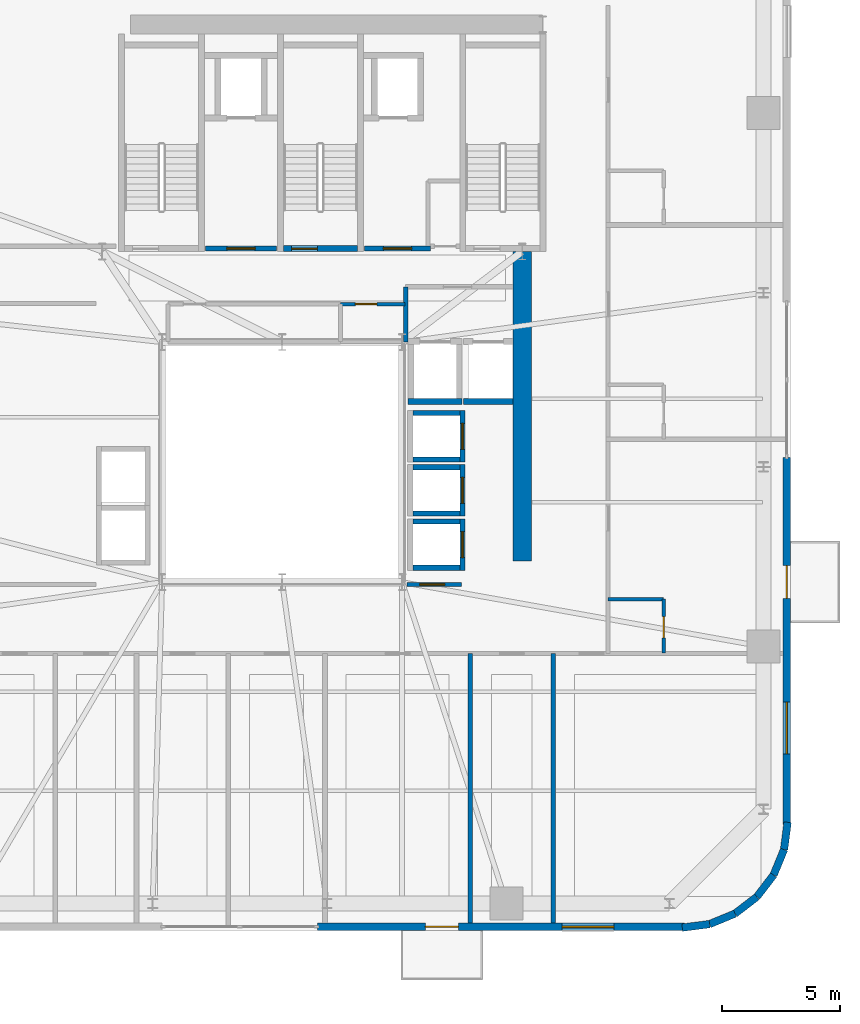
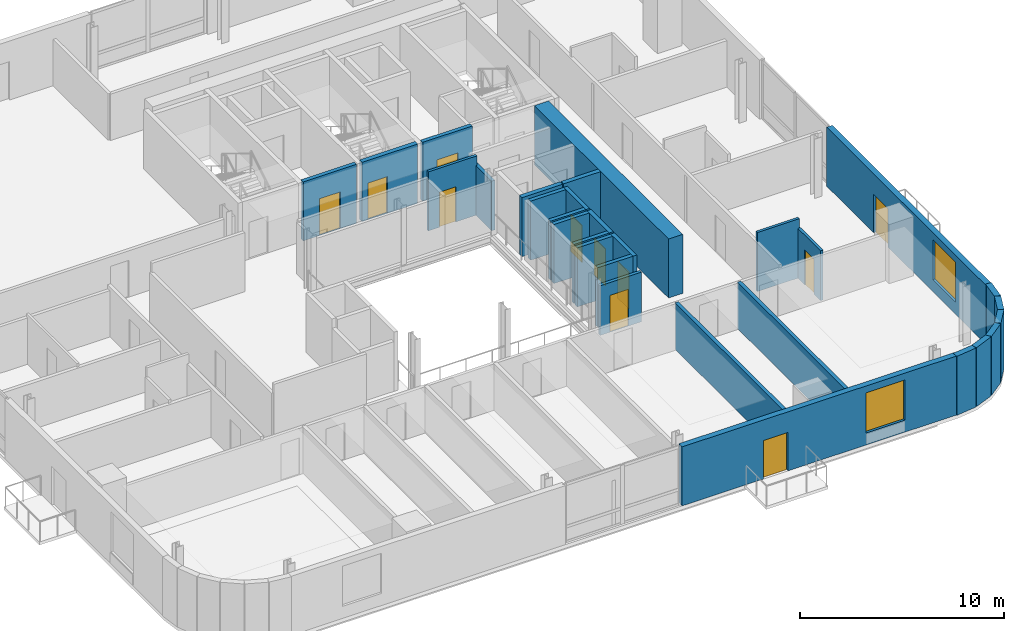
# One storey, part 9 of 16: 30 walls, 11 doors, 2 windows, 13 openings.
"""IFC4 building model written with IfcOpenShell, lengths in metres."""

import ifcopenshell
import ifcopenshell.guid

model = None  # the IFC model being written
_history = None  # IfcOwnerHistory: only IFC2X3 demands one
_inside = {}  # id of a spatial element -> (the spatial element, [elements in it])
_under = {}  # id of a project, library or spatial element -> (it, [spatial elements below it])
_declared = {}  # id of a project -> (the project, [libraries it declares])
_typed = {}  # id of a type object -> (the type object, [elements of that type])
_made_of = {}  # id of a material, layer set ... -> (it, [elements and type objects made of it])


def new_model(schema):
    """Start an empty IFC model of exactly this schema.

    Asked for "IFC4X3", IfcOpenShell would pick the latest addendum, in which some entities
    have other attributes; the version numbers below select the first issue.
    IFC2X3 requires an IfcOwnerHistory on every rooted entity: one is made here for all.
    """
    global model, _history
    if schema == "IFC4X3":
        model = ifcopenshell.file(schema_version=(4, 3, 0, 0))
    else:
        model = ifcopenshell.file(schema=schema)
    _inside.clear()
    _under.clear()
    _declared.clear()
    _typed.clear()
    _made_of.clear()
    _history = None
    if model.schema == "IFC2X3":
        org = make("IfcOrganization", Name="unknown")
        user = make(
            "IfcPersonAndOrganization",
            ThePerson=make("IfcPerson", FamilyName="unknown"),
            TheOrganization=org,
        )
        app = make(
            "IfcApplication",
            ApplicationDeveloper=org,
            Version="unknown",
            ApplicationFullName="unknown",
            ApplicationIdentifier="unknown",
        )
        _history = make(
            "IfcOwnerHistory",
            OwningUser=user,
            OwningApplication=app,
            ChangeAction="ADDED",
            CreationDate=0,
        )
    return model


def make(cls, **values):
    """One entity of the class cls with the attributes given. An attribute that is None is left unset."""
    return model.create_entity(
        cls, **{name: value for name, value in values.items() if value is not None}
    )


def rooted(cls, **values):
    """An entity with a GlobalId (a new one), such as an element, a storey or a relation."""
    return make(cls, GlobalId=ifcopenshell.guid.new(), OwnerHistory=_history, **values)


def si_unit(unit_type, name, prefix=None):
    """IfcSIUnit, for example si_unit("LENGTHUNIT", "METRE", prefix="MILLI")."""
    return make("IfcSIUnit", UnitType=unit_type, Prefix=prefix, Name=name)


def assignment(units):
    """IfcUnitAssignment: the units of a project."""
    return None if units is None else make("IfcUnitAssignment", Units=units)


def point(xyz):
    """IfcCartesianPoint."""
    return None if xyz is None else make("IfcCartesianPoint", Coordinates=xyz)


def direction(xyz):
    """IfcDirection."""
    return None if xyz is None else make("IfcDirection", DirectionRatios=xyz)


def frame(location, z_axis=None, x_axis=None):
    """IfcAxis2Placement3D, a coordinate frame: its origin and axes. An axis left out is left unset."""
    return make(
        "IfcAxis2Placement3D",
        Location=point(location),
        Axis=direction(z_axis),
        RefDirection=direction(x_axis),
    )


def frame_2d(location, x_axis=None):
    """IfcAxis2Placement2D, a coordinate frame in the plane: its origin and x axis."""
    return make(
        "IfcAxis2Placement2D", Location=point(location), RefDirection=direction(x_axis)
    )


def origin():
    """The frame at (0, 0, 0) with its axes left unset."""
    return frame((0.0, 0.0, 0.0))


def place(relative_to, where):
    """IfcLocalPlacement: puts the frame where relative to a parent placement (None: the world)."""
    return make(
        "IfcLocalPlacement", PlacementRelTo=relative_to, RelativePlacement=where
    )


def context(
    kind, dimensions, precision=None, world=None, true_north=None, identifier=None
):
    """IfcGeometricRepresentationContext, for example the 3D "Model" context."""
    return make(
        "IfcGeometricRepresentationContext",
        ContextIdentifier=identifier,
        ContextType=kind,
        CoordinateSpaceDimension=dimensions,
        Precision=precision,
        WorldCoordinateSystem=world,
        TrueNorth=true_north,
    )


def subcontext(parent, identifier, kind, view, scale=None):
    """IfcGeometricRepresentationSubContext, for example "Body" below "Model"."""
    return make(
        "IfcGeometricRepresentationSubContext",
        ContextIdentifier=identifier,
        ContextType=kind,
        ParentContext=parent,
        TargetScale=scale,
        TargetView=view,
    )


def project(units=None, contexts=None):
    """IfcProject with its units and contexts."""
    return rooted(
        "IfcProject",
        Name="project",
        RepresentationContexts=contexts,
        UnitsInContext=assignment(units),
    )


def spatial(cls, under=None, at=None, **own):
    """A site, building, storey or space (cls), placed at a placement, below another one or the project."""
    s = rooted(cls, ObjectPlacement=at, **own)
    if under is not None:
        _under.setdefault(under.id(), (under, []))[1].append(s)
    return s


def profile(cls, at=None, kind="AREA", **sizes):
    """A parametric profile (cls). Its sizes go by their IFC names, for example OverallWidth=200.0."""
    return make(cls, ProfileType=kind, Position=at, **sizes)


def rectangle(**sizes):
    """IfcRectangleProfileDef."""
    return profile("IfcRectangleProfileDef", **sizes)


def extrude(swept, where, along, depth):
    """IfcExtrudedAreaSolid: the profile swept, set in the frame where, extruded along a direction by depth."""
    return make(
        "IfcExtrudedAreaSolid",
        SweptArea=swept,
        Position=where,
        ExtrudedDirection=direction(along),
        Depth=depth,
    )


def shape(context_of_items, identifier, shape_type, items):
    """IfcShapeRepresentation: the items that make up one representation, for example the "Body"."""
    return make(
        "IfcShapeRepresentation",
        ContextOfItems=context_of_items,
        RepresentationIdentifier=identifier,
        RepresentationType=shape_type,
        Items=items,
    )


def source(mapping_origin, context_of_items, identifier, shape_type, items):
    """IfcRepresentationMap: a shape defined once, which mapped items show again and again."""
    return make(
        "IfcRepresentationMap",
        MappingOrigin=mapping_origin,
        MappedRepresentation=shape(context_of_items, identifier, shape_type, items),
    )


def transform(
    local_origin,
    x_axis=None,
    y_axis=None,
    z_axis=None,
    scale=None,
    scale2=None,
    scale3=None,
    uniform=True,
):
    """IfcCartesianTransformationOperator3D, or its non-uniform kind. x_axis, y_axis, z_axis: its Axis1, 2, 3."""
    if uniform:
        return make(
            "IfcCartesianTransformationOperator3D",
            Axis1=direction(x_axis),
            Axis2=direction(y_axis),
            LocalOrigin=point(local_origin),
            Scale=scale,
            Axis3=direction(z_axis),
        )
    return make(
        "IfcCartesianTransformationOperator3DnonUniform",
        Axis1=direction(x_axis),
        Axis2=direction(y_axis),
        LocalOrigin=point(local_origin),
        Scale=scale,
        Axis3=direction(z_axis),
        Scale2=scale2,
        Scale3=scale3,
    )


def mapped(mapping_source, mapping_target):
    """IfcMappedItem: shows the shape of a source again, moved by a transform."""
    return make(
        "IfcMappedItem", MappingSource=mapping_source, MappingTarget=mapping_target
    )


def material(Name=None, Category=None):
    """IfcMaterial."""
    return make("IfcMaterial", Name=Name, Category=Category)


def layer(
    of_material, thickness, ventilated=None, Name=None, Category=None, Priority=None
):
    """IfcMaterialLayer: one layer of a wall or slab, of a material (None: an air gap)."""
    return make(
        "IfcMaterialLayer",
        Material=of_material,
        LayerThickness=thickness,
        IsVentilated=ventilated,
        Name=Name,
        Category=Category,
        Priority=Priority,
    )


def layer_set(layers, Name=None):
    """IfcMaterialLayerSet."""
    return make("IfcMaterialLayerSet", MaterialLayers=layers, LayerSetName=Name)


def made_of(thing, what):
    """Note that an element or type object is made of a material, layer set ...; save() writes the relation."""
    if what is not None:
        _made_of.setdefault(what.id(), (what, []))[1].append(thing)
    return thing


def type_object(cls, material=None, **own):
    """A type object (cls), such as IfcWallType, which elements share."""
    return made_of(rooted(cls, **own), material)


def element(
    cls,
    number,
    at=None,
    inside=None,
    cuts=None,
    type_object=None,
    material=None,
    context=None,
    identifier="Body",
    shape_type=None,
    held_by="IfcProductDefinitionShape",
    body=None,
    shapes=None,
    **own,
):
    """One element of the class cls, such as IfcWall. Its Tag is "e" and its number.

    at: its placement. inside: the storey or other place that contains it. cuts: it is an
    opening in that element (IfcRelVoidsElement). A single representation is given by context,
    identifier, shape_type and body (its items); several are given by shapes. held_by: the class
    of the entity that holds the representations. save() writes the other relations.
    """
    e = rooted(cls, Tag="e%d" % number, ObjectPlacement=at, **own)
    if body is not None:
        shapes = [shape(context, identifier, shape_type, body)]
    if shapes is not None:
        e.Representation = make(held_by, Representations=shapes)
    if inside is not None:
        _inside.setdefault(inside.id(), (inside, []))[1].append(e)
    if cuts is not None:
        rooted(
            "IfcRelVoidsElement", RelatingBuildingElement=cuts, RelatedOpeningElement=e
        )
    if type_object is not None:
        _typed.setdefault(type_object.id(), (type_object, []))[1].append(e)
    return made_of(e, material)


def fill(opening, filler):
    """IfcRelFillsElement: the door or window that sits in an opening."""
    return rooted(
        "IfcRelFillsElement",
        RelatingOpeningElement=opening,
        RelatedBuildingElement=filler,
    )


def aggregate(whole, parts):
    """IfcRelAggregates: a whole, such as a stair, and the parts it consists of."""
    return rooted("IfcRelAggregates", RelatingObject=whole, RelatedObjects=parts)


def save(model, path):
    """Write the relations noted so far, then the file.

    IfcRelAggregates (storeys below a building ...), IfcRelContainedInSpatialStructure (elements
    in a storey), IfcRelDefinesByType, IfcRelAssociatesMaterial and IfcRelDeclares: one each for
    every whole, place, type object, material and project.
    """
    for whole, parts in _under.values():
        aggregate(whole, parts)
    for where, things in _inside.values():
        rooted(
            "IfcRelContainedInSpatialStructure",
            RelatedElements=things,
            RelatingStructure=where,
        )
    for kind, things in _typed.values():
        rooted("IfcRelDefinesByType", RelatedObjects=things, RelatingType=kind)
    for what, things in _made_of.values():
        rooted("IfcRelAssociatesMaterial", RelatedObjects=things, RelatingMaterial=what)
    for by, libraries in _declared.values():
        rooted("IfcRelDeclares", RelatingContext=by, RelatedDefinitions=libraries)
    model.write(path)


model = new_model("IFC4")

# Units and contexts
model_context = context("Model", 3, precision=1e-05, world=origin(), true_north=direction((0.0, 1.0)))
body_context = subcontext(model_context, "Body", "Model", "MODEL_VIEW")
ifc_project = project(units=[si_unit("LENGTHUNIT", "METRE"), si_unit("AREAUNIT", "SQUARE_METRE"), si_unit("VOLUMEUNIT", "CUBIC_METRE"), si_unit("PLANEANGLEUNIT", "RADIAN"), si_unit("MASSUNIT", "GRAM", prefix="KILO")], contexts=[model_context])

# Site, building, storey
site_placement = place(None, origin())
site = spatial("IfcSite", under=ifc_project, at=site_placement, CompositionType="ELEMENT")
building_placement = place(site_placement, origin())
building = spatial("IfcBuilding", under=site, at=building_placement, Name="Vardaveli Station Tower", CompositionType="ELEMENT")
storey_placement = place(building_placement, frame((0.0, 0.0, 222.300048828125)))
storey = spatial("IfcBuildingStorey", under=building, at=storey_placement, Name="L57", CompositionType="ELEMENT", Elevation=222.300048828125)

# Wall
ifc_material_1 = material(Name="Concrete C50/60", Category="concrete")
ifc_layer_1 = layer(ifc_material_1, 0.800048828125, Name="Concrete C50/60")
ifc_layer_set_1 = layer_set([ifc_layer_1], Name="Concrete C50/60")
wall_type_1 = type_object("IfcWallType", Name="WAL-CORE-800", PredefinedType="SHEAR", material=ifc_layer_set_1)
shared_shape_1 = source(origin(), body_context, "Body", "SweptSolid", [
    extrude(rectangle(XDim=13.14990234375, YDim=0.800048828125, at=frame_2d((6.574951171875, 0.0))), origin(), (0.0, 0.0, 1.0), 3.530029296875),
])
wall_1_placement = place(storey_placement, frame((46.5, 17.5, 0.0), z_axis=(0.0, 0.0, 1.0), x_axis=(0.0, 1.0, 0.0)))
element("IfcWall", 1, at=wall_1_placement, inside=storey, type_object=wall_type_1, Name="SW-L57-EAST2", PredefinedType="SHEAR", context=body_context, shape_type="MappedRepresentation", body=[
    mapped(shared_shape_1, transform((0.0, 0.0, 0.0), scale=1.0)),
])

# Wall, openings, door, window
ifc_material_2 = material(Name="Precast concrete C45/55", Category="concrete")
ifc_layer_2 = layer(ifc_material_2, 0.320068359375, Name="Precast concrete C45/55")
ifc_layer_set_2 = layer_set([ifc_layer_2], Name="Precast concrete C45/55")
wall_type_2 = type_object("IfcWallType", Name="WAL-EXT-STONE-320", PredefinedType="SOLIDWALL", material=ifc_layer_set_2)
shared_shape_2 = source(origin(), body_context, "Body", "SweptSolid", [
    extrude(rectangle(XDim=15.599853515625, YDim=0.320068359375, at=frame_2d((7.7998046875, 0.0))), origin(), (0.0, 0.0, 1.0), 3.530029296875),
])
wall_2_placement = place(storey_placement, frame((37.800048828125, 1.9599609375, 0.0), z_axis=(0.0, 0.0, 1.0), x_axis=(1.0, 0.0, 0.0)))
wall_2 = element("IfcWall", 2, at=wall_2_placement, inside=storey, type_object=wall_type_2, Name="EW-L57-S2", PredefinedType="SOLIDWALL", context=body_context, shape_type="MappedRepresentation", body=[
    mapped(shared_shape_2, transform((0.0, 0.0, 0.0), scale=1.0)),
])
shared_shape_3 = source(origin(), body_context, "Body", "SweptSolid", [
    extrude(rectangle(XDim=1.39990234375, YDim=2.300048828125, at=frame_2d((0.699951171875, 1.14990234375))), frame((0.0, 0.169921875, 0.0), z_axis=(0.0, -1.0, 0.0), x_axis=(1.0, 0.0, 0.0)), (0.0, 0.0, 1.0), 0.340087890625),
])
opening_1_placement = place(wall_2_placement, frame((4.589599609375, 0.0, 0.0)))
opening_1 = element("IfcOpeningElement", 3, at=opening_1_placement, cuts=wall_2, Name="Opening D-09", PredefinedType="OPENING", context=body_context, shape_type="MappedRepresentation", body=[
    mapped(shared_shape_3, transform((0.0, 0.0, 0.0), scale=1.0)),
])
shared_shape_4 = source(origin(), body_context, "Body", "SweptSolid", [
    extrude(rectangle(XDim=2.199951171875, YDim=2.39990234375, at=frame_2d((1.10009765625, 1.199951171875))), frame((0.0, 0.169921875, 0.0), z_axis=(0.0, -1.0, 0.0), x_axis=(1.0, 0.0, 0.0)), (0.0, 0.0, 1.0), 0.340087890625),
])
opening_2_placement = place(wall_2_placement, frame((10.39501953125, 0.0, 0.719970703125)))
opening_2 = element("IfcOpeningElement", 4, at=opening_2_placement, cuts=wall_2, Name="Opening W-03", PredefinedType="OPENING", context=body_context, shape_type="MappedRepresentation", body=[
    mapped(shared_shape_4, transform((0.0, 0.0, 0.0), scale=1.0)),
])
ifc_material_3 = material(Name="Thermally broken aluminium glass", Category="aluminium")
door_type_1 = type_object("IfcDoorType", Name="DR-LOG-1400x2300", OperationType="DOUBLE_DOOR_SLIDING", PredefinedType="DOOR", material=ifc_material_3)
shared_shape_5 = source(origin(), body_context, "Body", "SweptSolid", [
    extrude(rectangle(XDim=1.39990234375, YDim=2.300048828125, at=frame_2d((0.699951171875, 1.14990234375))), frame((0.0, 0.02490234375, 0.0), z_axis=(0.0, -1.0, 0.0), x_axis=(1.0, 0.0, 0.0)), (0.0, 0.0, 1.0), 0.050048828125),
])
door_1_placement = place(opening_1_placement, frame((1.39990234375, 0.0, 0.0), z_axis=(0.0, 0.0, 1.0), x_axis=(-1.0, 0.0, 0.0)))
door_1 = element("IfcDoor", 5, at=door_1_placement, inside=storey, type_object=door_type_1, Name="DLG-L57-S", OperationType="DOUBLE_DOOR_SLIDING", OverallHeight=2.300048828125, OverallWidth=1.39990234375, PredefinedType="DOOR", context=body_context, shape_type="MappedRepresentation", body=[
    mapped(shared_shape_5, transform((0.0, 0.0, 0.0), scale=1.0)),
])
fill(opening_1, door_1)
ifc_material_4 = material(Name="Low-E solar-control glass", Category="glass")
window_type = type_object("IfcWindowType", Name="WIN-LOG-2200x2400", PartitioningType="SINGLE_PANEL", PredefinedType="WINDOW", material=ifc_material_4)
shared_shape_6 = source(origin(), body_context, "Body", "SweptSolid", [
    extrude(rectangle(XDim=2.199951171875, YDim=2.39990234375, at=frame_2d((1.10009765625, 1.199951171875))), frame((0.0, 0.030029296875, 0.0), z_axis=(0.0, -1.0, 0.0), x_axis=(1.0, 0.0, 0.0)), (0.0, 0.0, 1.0), 0.06005859375),
])
window_1_placement = place(opening_2_placement, origin())
window_1 = element("IfcWindow", 6, at=window_1_placement, inside=storey, type_object=window_type, Name="WN-L57-S2", OverallHeight=2.39990234375, OverallWidth=2.199951171875, PartitioningType="SINGLE_PANEL", PredefinedType="WINDOW", context=body_context, shape_type="MappedRepresentation", body=[
    mapped(shared_shape_6, transform((0.0, 0.0, 0.0), scale=1.0)),
])
fill(opening_2, window_1)

wall_3_placement = place(storey_placement, frame((57.739990234375, 6.300048828125, 0.0), z_axis=(0.0, 0.0, 1.0), x_axis=(0.0, 1.0, 0.0)))
wall_3 = element("IfcWall", 7, at=wall_3_placement, inside=storey, type_object=wall_type_2, Name="EW-L57-E1", PredefinedType="SOLIDWALL", context=body_context, shape_type="MappedRepresentation", body=[
    mapped(shared_shape_2, transform((0.0, 0.0, 0.0), scale=1.0)),
])
opening_3_placement = place(wall_3_placement, frame((9.6103515625, 0.0, 0.0)))
opening_3 = element("IfcOpeningElement", 8, at=opening_3_placement, cuts=wall_3, Name="Opening D-09", PredefinedType="OPENING", context=body_context, shape_type="MappedRepresentation", body=[
    mapped(shared_shape_3, transform((0.0, 0.0, 0.0), scale=1.0)),
])
opening_4_placement = place(wall_3_placement, frame((3.0048828125, 0.0, 0.719970703125)))
opening_4 = element("IfcOpeningElement", 9, at=opening_4_placement, cuts=wall_3, Name="Opening W-03", PredefinedType="OPENING", context=body_context, shape_type="MappedRepresentation", body=[
    mapped(shared_shape_4, transform((0.0, 0.0, 0.0), scale=1.0)),
])
door_2_placement = place(opening_3_placement, frame((1.39990234375, 0.0, 0.0), z_axis=(0.0, 0.0, 1.0), x_axis=(-1.0, 0.0, 0.0)))
door_2 = element("IfcDoor", 10, at=door_2_placement, inside=storey, type_object=door_type_1, Name="DLG-L57-E", OperationType="DOUBLE_DOOR_SLIDING", OverallHeight=2.300048828125, OverallWidth=1.39990234375, PredefinedType="DOOR", context=body_context, shape_type="MappedRepresentation", body=[
    mapped(shared_shape_5, transform((0.0, 0.0, 0.0), scale=1.0)),
])
fill(opening_3, door_2)
window_2_placement = place(opening_4_placement, origin())
window_2 = element("IfcWindow", 11, at=window_2_placement, inside=storey, type_object=window_type, Name="WN-L57-E1", OverallHeight=2.39990234375, OverallWidth=2.199951171875, PartitioningType="SINGLE_PANEL", PredefinedType="WINDOW", context=body_context, shape_type="MappedRepresentation", body=[
    mapped(shared_shape_6, transform((0.0, 0.0, 0.0), scale=1.0)),
])
fill(opening_4, window_2)

# Walls
shared_shape_7 = source(origin(), body_context, "Body", "SweptSolid", [
    extrude(rectangle(XDim=1.170654296875, YDim=0.320068359375, at=frame_2d((0.58544921875, 0.0))), origin(), (0.0, 0.0, 1.0), 3.530029296875),
])
wall_4_placement = place(storey_placement, frame((57.62548828125, 5.23974609375, 0.0), z_axis=(0.0, 0.0, 1.0), x_axis=(0.128269133229, 0.991739395941, 0.0)))
element("IfcWall", 12, at=wall_4_placement, inside=storey, type_object=wall_type_2, Name="EW-L57-CR2-6", PredefinedType="SOLIDWALL", context=body_context, shape_type="MappedRepresentation", body=[
    mapped(shared_shape_7, transform((0.0, 0.0, 0.0), scale=1.0)),
])
shared_shape_8 = source(origin(), body_context, "Body", "SweptSolid", [
    extrude(rectangle(XDim=1.1689453125, YDim=0.320068359375, at=frame_2d((0.58447265625, 0.0))), origin(), (0.0, 0.0, 1.0), 3.530029296875),
])
for number, where, z_axis, x_axis, name in (
    (13, (56.46875, 3.231201171875, 0.0), (0.0, 0.0, 1.0), (0.608387696831, 0.793639975269, 0.0), "EW-L57-CR2-4"),
    (14, (57.179931640625, 4.158935546875, 0.0), (0.0, 0.0, 1.0), (0.381127904695, 0.924522320046, 0.0), "EW-L57-CR2-5"),
):
    element("IfcWall", number, at=place(storey_placement, frame(where, z_axis=z_axis, x_axis=x_axis)), inside=storey, type_object=wall_type_2, Name=name, PredefinedType="SOLIDWALL", context=body_context, shape_type="MappedRepresentation", body=[
        mapped(shared_shape_8, transform((0.0, 0.0, 0.0), scale=1.0)),
    ])
shared_shape_9 = source(origin(), body_context, "Body", "SweptSolid", [
    extrude(rectangle(XDim=1.168701171875, YDim=0.320068359375, at=frame_2d((0.58447265625, 0.0))), origin(), (0.0, 0.0, 1.0), 3.530029296875),
])
wall_5_placement = place(storey_placement, frame((55.541259765625, 2.520263671875, 0.0), z_axis=(0.0, 0.0, 1.0), x_axis=(0.793663520347, 0.608356981114, 0.0)))
element("IfcWall", 15, at=wall_5_placement, inside=storey, type_object=wall_type_2, Name="EW-L57-CR2-3", PredefinedType="SOLIDWALL", context=body_context, shape_type="MappedRepresentation", body=[
    mapped(shared_shape_9, transform((0.0, 0.0, 0.0), scale=1.0)),
])
shared_shape_10 = source(origin(), body_context, "Body", "SweptSolid", [
    extrude(rectangle(XDim=1.16943359375, YDim=0.320068359375, at=frame_2d((0.584716796875, 0.0))), origin(), (0.0, 0.0, 1.0), 3.530029296875),
])
wall_6_placement = place(storey_placement, frame((54.460205078125, 2.074462890625, 0.0), z_axis=(0.0, 0.0, 1.0), x_axis=(0.924479075121, 0.381232789334, 0.0)))
element("IfcWall", 16, at=wall_6_placement, inside=storey, type_object=wall_type_2, Name="EW-L57-CR2-2", PredefinedType="SOLIDWALL", context=body_context, shape_type="MappedRepresentation", body=[
    mapped(shared_shape_10, transform((0.0, 0.0, 0.0), scale=1.0)),
])
shared_shape_11 = source(origin(), body_context, "Body", "SweptSolid", [
    extrude(rectangle(XDim=1.170166015625, YDim=0.320068359375, at=frame_2d((0.5849609375, 0.0))), origin(), (0.0, 0.0, 1.0), 3.530029296875),
])
wall_7_placement = place(storey_placement, frame((53.299560546875, 1.924560546875, 0.0), z_axis=(0.0, 0.0, 1.0), x_axis=(0.991762485493, 0.128090485085, 0.0)))
element("IfcWall", 17, at=wall_7_placement, inside=storey, type_object=wall_type_2, Name="EW-L57-CR2-1", PredefinedType="SOLIDWALL", context=body_context, shape_type="MappedRepresentation", body=[
    mapped(shared_shape_11, transform((0.0, 0.0, 0.0), scale=1.0)),
])

# Wall, opening, door
ifc_material_5 = material(Name="Concrete C40/50", Category="concrete")
ifc_layer_3 = layer(ifc_material_5, 0.25, Name="Concrete C40/50")
ifc_layer_set_3 = layer_set([ifc_layer_3], Name="Concrete C40/50")
wall_type_3 = type_object("IfcWallType", Name="WAL-SHAFT-250", PredefinedType="SOLIDWALL", material=ifc_layer_set_3)
shared_shape_12 = source(origin(), body_context, "Body", "SweptSolid", [
    extrude(rectangle(XDim=3.14990234375, YDim=0.25, at=frame_2d((1.574951171875, 0.0))), origin(), (0.0, 0.0, 1.0), 3.550048828125),
])
wall_8_placement = place(storey_placement, frame((36.35009765625, 30.77490234375, 0.0), z_axis=(0.0, 0.0, 1.0), x_axis=(1.0, 0.0, 0.0)))
wall_8 = element("IfcWall", 18, at=wall_8_placement, inside=storey, type_object=wall_type_3, Name="W-L57-ST-2S", PredefinedType="SOLIDWALL", context=body_context, shape_type="MappedRepresentation", body=[
    mapped(shared_shape_12, transform((0.0, 0.0, 0.0), scale=1.0)),
])
shared_shape_13 = source(origin(), body_context, "Body", "SweptSolid", [
    extrude(rectangle(XDim=1.10009765625, YDim=2.199951171875, at=frame_2d((0.550048828125, 1.10009765625))), frame((0.0, 0.135009765625, 0.0), z_axis=(0.0, -1.0, 0.0), x_axis=(1.0, 0.0, 0.0)), (0.0, 0.0, 1.0), 0.27001953125),
])
opening_5_placement = place(wall_8_placement, frame((0.35009765625, 0.0, 0.0)))
opening_5 = element("IfcOpeningElement", 19, at=opening_5_placement, cuts=wall_8, Name="Opening D-04", PredefinedType="OPENING", context=body_context, shape_type="MappedRepresentation", body=[
    mapped(shared_shape_13, transform((0.0, 0.0, 0.0), scale=1.0)),
])
ifc_material_6 = material(Name="Steel smokeproof fire doorset", Category="steel")
door_type_2 = type_object("IfcDoorType", Name="DR-ST-1100x2200", OperationType="NOTDEFINED", PredefinedType="DOOR", material=ifc_material_6)
shared_shape_14 = source(origin(), body_context, "Body", "SweptSolid", [
    extrude(rectangle(XDim=1.10009765625, YDim=2.199951171875, at=frame_2d((0.550048828125, 1.10009765625))), frame((0.0, 0.02490234375, 0.0), z_axis=(0.0, -1.0, 0.0), x_axis=(1.0, 0.0, 0.0)), (0.0, 0.0, 1.0), 0.050048828125),
])
door_3_placement = place(opening_5_placement, origin())
door_3 = element("IfcDoor", 20, at=door_3_placement, inside=storey, type_object=door_type_2, Name="DST-2-L57", OperationType="SINGLE_SWING_LEFT", OverallHeight=2.199951171875, OverallWidth=1.10009765625, PredefinedType="DOOR", context=body_context, shape_type="MappedRepresentation", body=[
    mapped(shared_shape_14, transform((0.0, 0.0, 0.0), scale=1.0)),
])
fill(opening_5, door_3)

ifc_layer_4 = layer(ifc_material_5, 0.219970703125, Name="Concrete C40/50")
ifc_layer_set_4 = layer_set([ifc_layer_4], Name="Concrete C40/50")
wall_type_4 = type_object("IfcWallType", Name="WAL-FFLOBBY-220", PredefinedType="SOLIDWALL", material=ifc_layer_set_4)
shared_shape_15 = source(origin(), body_context, "Body", "SweptSolid", [
    extrude(rectangle(XDim=3.0, YDim=0.219970703125, at=frame_2d((1.5, 0.0))), origin(), (0.0, 0.0, 1.0), 3.530029296875),
])
wall_9_placement = place(storey_placement, frame((33.050048828125, 30.780029296875, 0.0), z_axis=(0.0, 0.0, 1.0), x_axis=(1.0, 0.0, 0.0)))
wall_9 = element("IfcWall", 21, at=wall_9_placement, inside=storey, type_object=wall_type_4, Name="W-L57-FFL1S", PredefinedType="SOLIDWALL", context=body_context, shape_type="MappedRepresentation", body=[
    mapped(shared_shape_15, transform((0.0, 0.0, 0.0), scale=1.0)),
])
shared_shape_16 = source(origin(), body_context, "Body", "SweptSolid", [
    extrude(rectangle(XDim=1.199951171875, YDim=2.199951171875, at=frame_2d((0.60009765625, 1.10009765625))), frame((0.0, 0.1201171875, 0.0), z_axis=(0.0, -1.0, 0.0), x_axis=(1.0, 0.0, 0.0)), (0.0, 0.0, 1.0), 0.239990234375),
])
opening_6_placement = place(wall_9_placement, frame((0.89990234375, 0.0, 0.0)))
opening_6 = element("IfcOpeningElement", 22, at=opening_6_placement, cuts=wall_9, Name="Opening D-03", PredefinedType="OPENING", context=body_context, shape_type="MappedRepresentation", body=[
    mapped(shared_shape_16, transform((0.0, 0.0, 0.0), scale=1.0)),
])
door_type_3 = type_object("IfcDoorType", Name="DR-FFL-1200x2200", OperationType="NOTDEFINED", PredefinedType="DOOR", material=ifc_material_6)
shared_shape_17 = source(origin(), body_context, "Body", "SweptSolid", [
    extrude(rectangle(XDim=1.199951171875, YDim=2.199951171875, at=frame_2d((0.60009765625, 1.10009765625))), frame((0.0, 0.02490234375, 0.0), z_axis=(0.0, -1.0, 0.0), x_axis=(1.0, 0.0, 0.0)), (0.0, 0.0, 1.0), 0.050048828125),
])
door_4_placement = place(opening_6_placement, origin())
door_4 = element("IfcDoor", 23, at=door_4_placement, inside=storey, type_object=door_type_3, Name="DFFL1-L57", OperationType="SINGLE_SWING_LEFT", OverallHeight=2.199951171875, OverallWidth=1.199951171875, PredefinedType="DOOR", context=body_context, shape_type="MappedRepresentation", body=[
    mapped(shared_shape_17, transform((0.0, 0.0, 0.0), scale=1.0)),
])
fill(opening_6, door_4)

shared_shape_18 = source(origin(), body_context, "Body", "SweptSolid", [
    extrude(rectangle(XDim=2.800048828125, YDim=0.219970703125, at=frame_2d((1.39990234375, 0.0))), origin(), (0.0, 0.0, 1.0), 3.530029296875),
])
wall_10_placement = place(storey_placement, frame((39.800048828125, 30.780029296875, 0.0), z_axis=(0.0, 0.0, 1.0), x_axis=(1.0, 0.0, 0.0)))
wall_10 = element("IfcWall", 24, at=wall_10_placement, inside=storey, type_object=wall_type_4, Name="W-L57-FFL2S", PredefinedType="SOLIDWALL", context=body_context, shape_type="MappedRepresentation", body=[
    mapped(shared_shape_18, transform((0.0, 0.0, 0.0), scale=1.0)),
])
opening_7_placement = place(wall_10_placement, frame((0.800048828125, 0.0, 0.0)))
opening_7 = element("IfcOpeningElement", 25, at=opening_7_placement, cuts=wall_10, Name="Opening D-03", PredefinedType="OPENING", context=body_context, shape_type="MappedRepresentation", body=[
    mapped(shared_shape_16, transform((0.0, 0.0, 0.0), scale=1.0)),
])
door_5_placement = place(opening_7_placement, origin())
door_5 = element("IfcDoor", 26, at=door_5_placement, inside=storey, type_object=door_type_3, Name="DFFL2-L57", OperationType="SINGLE_SWING_RIGHT", OverallHeight=2.199951171875, OverallWidth=1.199951171875, PredefinedType="DOOR", context=body_context, shape_type="MappedRepresentation", body=[
    mapped(shared_shape_17, transform((0.0, 0.0, 0.0), scale=1.0)),
])
fill(opening_7, door_5)

# Walls
shared_shape_19 = source(origin(), body_context, "Body", "SweptSolid", [
    extrude(rectangle(XDim=2.0, YDim=0.219970703125, at=frame_2d((1.0, 0.0))), origin(), (0.0, 0.0, 1.0), 3.530029296875),
])
for number, where, z_axis, x_axis, name in (
    (27, (41.85009765625, 21.81494140625, 0.0), (0.0, 0.0, 1.0), (1.0, 0.0, 0.0), "SHW-HL3-01-L57-S"),
    (28, (41.85009765625, 23.784912109375, 0.0), (0.0, 0.0, 1.0), (1.0, 0.0, 0.0), "SHW-HL3-01-L57-N"),
    (29, (41.85009765625, 19.514892578125, 0.0), (0.0, 0.0, 1.0), (1.0, 0.0, 0.0), "SHW-HL3-02-L57-S"),
    (30, (41.85009765625, 21.485107421875, 0.0), (0.0, 0.0, 1.0), (1.0, 0.0, 0.0), "SHW-HL3-02-L57-N"),
    (31, (41.85009765625, 17.215087890625, 0.0), (0.0, 0.0, 1.0), (1.0, 0.0, 0.0), "SHW-HL3-03-L57-S"),
    (32, (41.85009765625, 19.18505859375, 0.0), (0.0, 0.0, 1.0), (1.0, 0.0, 0.0), "SHW-HL3-03-L57-N"),
):
    element("IfcWall", number, at=place(storey_placement, frame(where, z_axis=z_axis, x_axis=x_axis)), inside=storey, type_object=wall_type_4, Name=name, PredefinedType="SOLIDWALL", context=body_context, shape_type="MappedRepresentation", body=[
        mapped(shared_shape_19, transform((0.0, 0.0, 0.0), scale=1.0)),
    ])

# Wall, opening, door
shared_shape_20 = source(origin(), body_context, "Body", "SweptSolid", [
    extrude(rectangle(XDim=2.18994140625, YDim=0.219970703125, at=frame_2d((1.094970703125, 0.0))), origin(), (0.0, 0.0, 1.0), 3.530029296875),
])
wall_11_placement = place(storey_placement, frame((43.9599609375, 21.705078125, 0.0), z_axis=(0.0, 0.0, 1.0), x_axis=(0.0, 1.0, 0.0)))
wall_11 = element("IfcWall", 33, at=wall_11_placement, inside=storey, type_object=wall_type_4, Name="SHW-HL3-01-L57-E", PredefinedType="SOLIDWALL", context=body_context, shape_type="MappedRepresentation", body=[
    mapped(shared_shape_20, transform((0.0, 0.0, 0.0), scale=1.0)),
])
shared_shape_21 = source(origin(), body_context, "Body", "SweptSolid", [
    extrude(rectangle(XDim=1.10009765625, YDim=2.199951171875, at=frame_2d((0.550048828125, 1.10009765625))), frame((0.0, 0.1201171875, 0.0), z_axis=(0.0, -1.0, 0.0), x_axis=(1.0, 0.0, 0.0)), (0.0, 0.0, 1.0), 0.239990234375),
])
opening_8_placement = place(wall_11_placement, frame((0.544921875, 0.0, 0.0)))
opening_8 = element("IfcOpeningElement", 34, at=opening_8_placement, cuts=wall_11, Name="Opening LD-01", PredefinedType="OPENING", context=body_context, shape_type="MappedRepresentation", body=[
    mapped(shared_shape_21, transform((0.0, 0.0, 0.0), scale=1.0)),
])
ifc_material_7 = material(Name="Brushed stainless steel", Category="steel")
door_type_4 = type_object("IfcDoorType", Name="DR-LD-1100x2200", OperationType="DOUBLE_DOOR_SLIDING", PredefinedType="DOOR", material=ifc_material_7)
door_6_placement = place(opening_8_placement, origin())
door_6 = element("IfcDoor", 35, at=door_6_placement, inside=storey, type_object=door_type_4, Name="LD-HL3-01-L57", OperationType="DOUBLE_DOOR_SLIDING", OverallHeight=2.199951171875, OverallWidth=1.10009765625, PredefinedType="DOOR", context=body_context, shape_type="MappedRepresentation", body=[
    mapped(shared_shape_14, transform((0.0, 0.0, 0.0), scale=1.0)),
])
fill(opening_8, door_6)

wall_12_placement = place(storey_placement, frame((43.9599609375, 19.405029296875, 0.0), z_axis=(0.0, 0.0, 1.0), x_axis=(0.0, 1.0, 0.0)))
wall_12 = element("IfcWall", 36, at=wall_12_placement, inside=storey, type_object=wall_type_4, Name="SHW-HL3-02-L57-E", PredefinedType="SOLIDWALL", context=body_context, shape_type="MappedRepresentation", body=[
    mapped(shared_shape_20, transform((0.0, 0.0, 0.0), scale=1.0)),
])
opening_9_placement = place(wall_12_placement, frame((0.544921875, 0.0, 0.0)))
opening_9 = element("IfcOpeningElement", 37, at=opening_9_placement, cuts=wall_12, Name="Opening LD-01", PredefinedType="OPENING", context=body_context, shape_type="MappedRepresentation", body=[
    mapped(shared_shape_21, transform((0.0, 0.0, 0.0), scale=1.0)),
])
door_7_placement = place(opening_9_placement, origin())
door_7 = element("IfcDoor", 38, at=door_7_placement, inside=storey, type_object=door_type_4, Name="LD-HL3-02-L57", OperationType="DOUBLE_DOOR_SLIDING", OverallHeight=2.199951171875, OverallWidth=1.10009765625, PredefinedType="DOOR", context=body_context, shape_type="MappedRepresentation", body=[
    mapped(shared_shape_14, transform((0.0, 0.0, 0.0), scale=1.0)),
])
fill(opening_9, door_7)

wall_13_placement = place(storey_placement, frame((43.9599609375, 17.10498046875, 0.0), z_axis=(0.0, 0.0, 1.0), x_axis=(0.0, 1.0, 0.0)))
wall_13 = element("IfcWall", 39, at=wall_13_placement, inside=storey, type_object=wall_type_4, Name="SHW-HL3-03-L57-E", PredefinedType="SOLIDWALL", context=body_context, shape_type="MappedRepresentation", body=[
    mapped(shared_shape_20, transform((0.0, 0.0, 0.0), scale=1.0)),
])
opening_10_placement = place(wall_13_placement, frame((0.544921875, 0.0, 0.0)))
opening_10 = element("IfcOpeningElement", 40, at=opening_10_placement, cuts=wall_13, Name="Opening LD-01", PredefinedType="OPENING", context=body_context, shape_type="MappedRepresentation", body=[
    mapped(shared_shape_21, transform((0.0, 0.0, 0.0), scale=1.0)),
])
door_8_placement = place(opening_10_placement, origin())
door_8 = element("IfcDoor", 41, at=door_8_placement, inside=storey, type_object=door_type_4, Name="LD-HL3-03-L57", OperationType="DOUBLE_DOOR_SLIDING", OverallHeight=2.199951171875, OverallWidth=1.10009765625, PredefinedType="DOOR", context=body_context, shape_type="MappedRepresentation", body=[
    mapped(shared_shape_14, transform((0.0, 0.0, 0.0), scale=1.0)),
])
fill(opening_10, door_8)

# Walls
shared_shape_22 = source(origin(), body_context, "Body", "SweptSolid", [
    extrude(rectangle(XDim=2.300048828125, YDim=0.25, at=frame_2d((1.14990234375, 0.0))), origin(), (0.0, 0.0, 1.0), 3.530029296875),
])
wall_14_placement = place(storey_placement, frame((41.64990234375, 24.27490234375, 0.0), z_axis=(0.0, 0.0, 1.0), x_axis=(1.0, 0.0, 0.0)))
element("IfcWall", 42, at=wall_14_placement, inside=storey, type_object=wall_type_3, Name="SHW-SRV-01-L57-S", PredefinedType="SOLIDWALL", context=body_context, shape_type="MappedRepresentation", body=[
    mapped(shared_shape_22, transform((0.0, 0.0, 0.0), scale=1.0)),
])
shared_shape_23 = source(origin(), body_context, "Body", "SweptSolid", [
    extrude(rectangle(XDim=2.10009765625, YDim=0.25, at=frame_2d((1.050048828125, 0.0))), origin(), (0.0, 0.0, 1.0), 3.530029296875),
])
wall_15_placement = place(storey_placement, frame((44.0, 24.27490234375, 0.0), z_axis=(0.0, 0.0, 1.0), x_axis=(1.0, 0.0, 0.0)))
element("IfcWall", 43, at=wall_15_placement, inside=storey, type_object=wall_type_3, Name="SHW-SRV-02-L57-S", PredefinedType="SOLIDWALL", context=body_context, shape_type="MappedRepresentation", body=[
    mapped(shared_shape_23, transform((0.0, 0.0, 0.0), scale=1.0)),
])

# Wall, opening, door
ifc_material_8 = material(Name="Fire-rated gypsum stud partition")
ifc_layer_5 = layer(ifc_material_8, 0.179931640625, Name="Fire-rated gypsum stud partition")
ifc_layer_set_5 = layer_set([ifc_layer_5], Name="Fire-rated gypsum stud partition")
wall_type_5 = type_object("IfcWallType", Name="WAL-CORR-180", PredefinedType="PARTITIONING", material=ifc_layer_set_5)
shared_shape_24 = source(origin(), body_context, "Body", "SweptSolid", [
    extrude(rectangle(XDim=2.329833984375, YDim=0.179931640625, at=frame_2d((1.1650390625, 0.0))), origin(), (0.0, 0.0, 1.0), 2.971923828125),
])
wall_16_placement = place(storey_placement, frame((41.60009765625, 16.5, 0.0), z_axis=(0.0, 0.0, 1.0), x_axis=(1.0, 0.0, 0.0)))
wall_16 = element("IfcWall", 44, at=wall_16_placement, inside=storey, type_object=wall_type_5, Name="W-L57-ATE-S", PredefinedType="PARTITIONING", context=body_context, shape_type="MappedRepresentation", body=[
    mapped(shared_shape_24, transform((0.0, 0.0, 0.0), scale=1.0)),
])
shared_shape_25 = source(origin(), body_context, "Body", "SweptSolid", [
    extrude(rectangle(XDim=1.050048828125, YDim=2.199951171875, at=frame_2d((0.52490234375, 1.10009765625))), frame((0.0, 0.10009765625, 0.0), z_axis=(0.0, -1.0, 0.0), x_axis=(1.0, 0.0, 0.0)), (0.0, 0.0, 1.0), 0.199951171875),
])
opening_11_placement = place(wall_16_placement, frame((0.550048828125, 0.0, 0.0)))
opening_11 = element("IfcOpeningElement", 45, at=opening_11_placement, cuts=wall_16, Name="Opening D-05", PredefinedType="OPENING", context=body_context, shape_type="MappedRepresentation", body=[
    mapped(shared_shape_25, transform((0.0, 0.0, 0.0), scale=1.0)),
])
ifc_material_9 = material(Name="Walnut veneer acoustic fire door")
door_type_5 = type_object("IfcDoorType", Name="DR-SUITE-1050x2200", OperationType="NOTDEFINED", PredefinedType="DOOR", material=ifc_material_9)
shared_shape_26 = source(origin(), body_context, "Body", "SweptSolid", [
    extrude(rectangle(XDim=1.050048828125, YDim=2.199951171875, at=frame_2d((0.52490234375, 1.10009765625))), frame((0.0, 0.02490234375, 0.0), z_axis=(0.0, -1.0, 0.0), x_axis=(1.0, 0.0, 0.0)), (0.0, 0.0, 1.0), 0.050048828125),
])
door_9_placement = place(opening_11_placement, origin())
door_9 = element("IfcDoor", 46, at=door_9_placement, inside=storey, type_object=door_type_5, Name="D-L57-ATE1", OperationType="SINGLE_SWING_RIGHT", OverallHeight=2.199951171875, OverallWidth=1.050048828125, PredefinedType="DOOR", context=body_context, shape_type="MappedRepresentation", body=[
    mapped(shared_shape_26, transform((0.0, 0.0, 0.0), scale=1.0)),
])
fill(opening_11, door_9)

ifc_material_10 = material(Name="Moisture-resistant stud partition")
ifc_layer_6 = layer(ifc_material_10, 0.14990234375, Name="Moisture-resistant stud partition")
ifc_layer_set_6 = layer_set([ifc_layer_6], Name="Moisture-resistant stud partition")
wall_type_6 = type_object("IfcWallType", Name="WAL-WET-150", PredefinedType="PARTITIONING", material=ifc_layer_set_6)
shared_shape_27 = source(origin(), body_context, "Body", "SweptSolid", [
    extrude(rectangle(XDim=2.289794921875, YDim=0.14990234375, at=frame_2d((1.14501953125, 0.0))), origin(), (0.0, 0.0, 1.0), 2.971923828125),
])
wall_17_placement = place(storey_placement, frame((52.510009765625, 13.590087890625, 0.0), z_axis=(0.0, 0.0, 1.0), x_axis=(0.0, 1.0, 0.0)))
wall_17 = element("IfcWall", 47, at=wall_17_placement, inside=storey, type_object=wall_type_6, Name="W-L57-BE1-E", PredefinedType="PARTITIONING", context=body_context, shape_type="MappedRepresentation", body=[
    mapped(shared_shape_27, transform((0.0, 0.0, 0.0), scale=1.0)),
])
shared_shape_28 = source(origin(), body_context, "Body", "SweptSolid", [
    extrude(rectangle(XDim=0.89990234375, YDim=2.10009765625, at=frame_2d((0.449951171875, 1.050048828125))), frame((0.0, 0.0849609375, 0.0), z_axis=(0.0, -1.0, 0.0), x_axis=(1.0, 0.0, 0.0)), (0.0, 0.0, 1.0), 0.169921875),
])
opening_12_placement = place(wall_17_placement, frame((0.64990234375, 0.0, 0.0)))
opening_12 = element("IfcOpeningElement", 48, at=opening_12_placement, cuts=wall_17, Name="Opening D-08", PredefinedType="OPENING", context=body_context, shape_type="MappedRepresentation", body=[
    mapped(shared_shape_28, transform((0.0, 0.0, 0.0), scale=1.0)),
])
ifc_material_11 = material(Name="Moisture-resistant oak door")
door_type_6 = type_object("IfcDoorType", Name="DR-BATH-900x2100", OperationType="NOTDEFINED", PredefinedType="DOOR", material=ifc_material_11)
shared_shape_29 = source(origin(), body_context, "Body", "SweptSolid", [
    extrude(rectangle(XDim=0.89990234375, YDim=2.10009765625, at=frame_2d((0.449951171875, 1.050048828125))), frame((0.0, 0.02490234375, 0.0), z_axis=(0.0, -1.0, 0.0), x_axis=(1.0, 0.0, 0.0)), (0.0, 0.0, 1.0), 0.050048828125),
])
door_10_placement = place(opening_12_placement, origin())
door_10 = element("IfcDoor", 49, at=door_10_placement, inside=storey, type_object=door_type_6, Name="D-L57-BE1", OperationType="SINGLE_SWING_RIGHT", OverallHeight=2.10009765625, OverallWidth=0.89990234375, PredefinedType="DOOR", context=body_context, shape_type="MappedRepresentation", body=[
    mapped(shared_shape_29, transform((0.0, 0.0, 0.0), scale=1.0)),
])
fill(opening_12, door_10)

# Walls
shared_shape_30 = source(origin(), body_context, "Body", "SweptSolid", [
    extrude(rectangle(XDim=2.360107421875, YDim=0.14990234375, at=frame_2d((1.18017578125, 0.0))), origin(), (0.0, 0.0, 1.0), 3.530029296875),
])
wall_18_placement = place(storey_placement, frame((50.14990234375, 15.8798828125, 0.0), z_axis=(0.0, 0.0, 1.0), x_axis=(1.0, 0.0, 0.0)))
element("IfcWall", 50, at=wall_18_placement, inside=storey, type_object=wall_type_6, Name="W-L57-BE1-N", PredefinedType="PARTITIONING", context=body_context, shape_type="MappedRepresentation", body=[
    mapped(shared_shape_30, transform((0.0, 0.0, 0.0), scale=1.0)),
])
shared_shape_31 = source(origin(), body_context, "Body", "SweptSolid", [
    extrude(rectangle(XDim=2.349853515625, YDim=0.179931640625, at=frame_2d((1.1748046875, 0.0))), origin(), (0.0, 0.0, 1.0), 2.971923828125),
])
wall_19_placement = place(storey_placement, frame((41.550048828125, 26.800048828125, 0.0), z_axis=(0.0, 0.0, 1.0), x_axis=(0.0, 1.0, 0.0)))
element("IfcWall", 51, at=wall_19_placement, inside=storey, type_object=wall_type_5, Name="W-L57-SVFW", PredefinedType="PARTITIONING", context=body_context, shape_type="MappedRepresentation", body=[
    mapped(shared_shape_31, transform((0.0, 0.0, 0.0), scale=1.0)),
])

# Wall, opening, door
shared_shape_32 = source(origin(), body_context, "Body", "SweptSolid", [
    extrude(rectangle(XDim=2.739990234375, YDim=0.14990234375, at=frame_2d((1.3701171875, 0.0))), origin(), (0.0, 0.0, 1.0), 3.530029296875),
])
wall_20_placement = place(storey_placement, frame((38.780029296875, 28.419921875, 0.0), z_axis=(0.0, 0.0, 1.0), x_axis=(1.0, 0.0, 0.0)))
wall_20 = element("IfcWall", 52, at=wall_20_placement, inside=storey, type_object=wall_type_6, Name="W-L57-WCA0-N", PredefinedType="PARTITIONING", context=body_context, shape_type="MappedRepresentation", body=[
    mapped(shared_shape_32, transform((0.0, 0.0, 0.0), scale=1.0)),
])
shared_shape_33 = source(origin(), body_context, "Body", "SweptSolid", [
    extrude(rectangle(XDim=0.919921875, YDim=2.10009765625, at=frame_2d((0.4599609375, 1.050048828125))), frame((0.0, 0.0849609375, 0.0), z_axis=(0.0, -1.0, 0.0), x_axis=(1.0, 0.0, 0.0)), (0.0, 0.0, 1.0), 0.169921875),
])
opening_13_placement = place(wall_20_placement, frame((0.6298828125, 0.0, 0.0)))
opening_13 = element("IfcOpeningElement", 53, at=opening_13_placement, cuts=wall_20, Name="Opening D-07", PredefinedType="OPENING", context=body_context, shape_type="MappedRepresentation", body=[
    mapped(shared_shape_33, transform((0.0, 0.0, 0.0), scale=1.0)),
])
ifc_material_12 = material(Name="Moisture-resistant hardwood door", Category="wood")
door_type_7 = type_object("IfcDoorType", Name="DR-WC-920x2100", OperationType="NOTDEFINED", PredefinedType="DOOR", material=ifc_material_12)
shared_shape_34 = source(origin(), body_context, "Body", "SweptSolid", [
    extrude(rectangle(XDim=0.919921875, YDim=2.10009765625, at=frame_2d((0.4599609375, 1.050048828125))), frame((0.0, 0.02490234375, 0.0), z_axis=(0.0, -1.0, 0.0), x_axis=(1.0, 0.0, 0.0)), (0.0, 0.0, 1.0), 0.050048828125),
])
door_11_placement = place(opening_13_placement, origin())
door_11 = element("IfcDoor", 54, at=door_11_placement, inside=storey, type_object=door_type_7, Name="D-L57-WCA", OperationType="SINGLE_SWING_LEFT", OverallHeight=2.10009765625, OverallWidth=0.919921875, PredefinedType="DOOR", context=body_context, shape_type="MappedRepresentation", body=[
    mapped(shared_shape_34, transform((0.0, 0.0, 0.0), scale=1.0)),
])
fill(opening_13, door_11)

# Walls
ifc_material_13 = material(Name="Acoustic twin-stud gypsum partition")
ifc_layer_7 = layer(ifc_material_13, 0.199951171875, Name="Acoustic twin-stud gypsum partition")
ifc_layer_set_7 = layer_set([ifc_layer_7], Name="Acoustic twin-stud gypsum partition")
wall_type_7 = type_object("IfcWallType", Name="WAL-PARTY-200", PredefinedType="PARTITIONING", material=ifc_layer_set_7)
shared_shape_35 = source(origin(), body_context, "Body", "SweptSolid", [
    extrude(rectangle(XDim=11.447998046875, YDim=0.199951171875, at=frame_2d((5.72412109375, 0.0))), origin(), (0.0, 0.0, 1.0), 2.77197265625),
])
for number, where, z_axis, x_axis, name in (
    (55, (44.2900390625, 2.1220703125, 0.0), (0.0, 0.0, 1.0), (0.0, 1.0, 0.0), "W-L57-PS6"),
    (56, (47.820068359375, 2.1220703125, 0.0), (0.0, 0.0, 1.0), (0.0, 1.0, 0.0), "W-L57-PS7"),
):
    element("IfcWall", number, at=place(storey_placement, frame(where, z_axis=z_axis, x_axis=x_axis)), inside=storey, type_object=wall_type_7, Name=name, PredefinedType="PARTITIONING", context=body_context, shape_type="MappedRepresentation", body=[
        mapped(shared_shape_35, transform((0.0, 0.0, 0.0), scale=1.0)),
    ])

save(model, "model.ifc")
